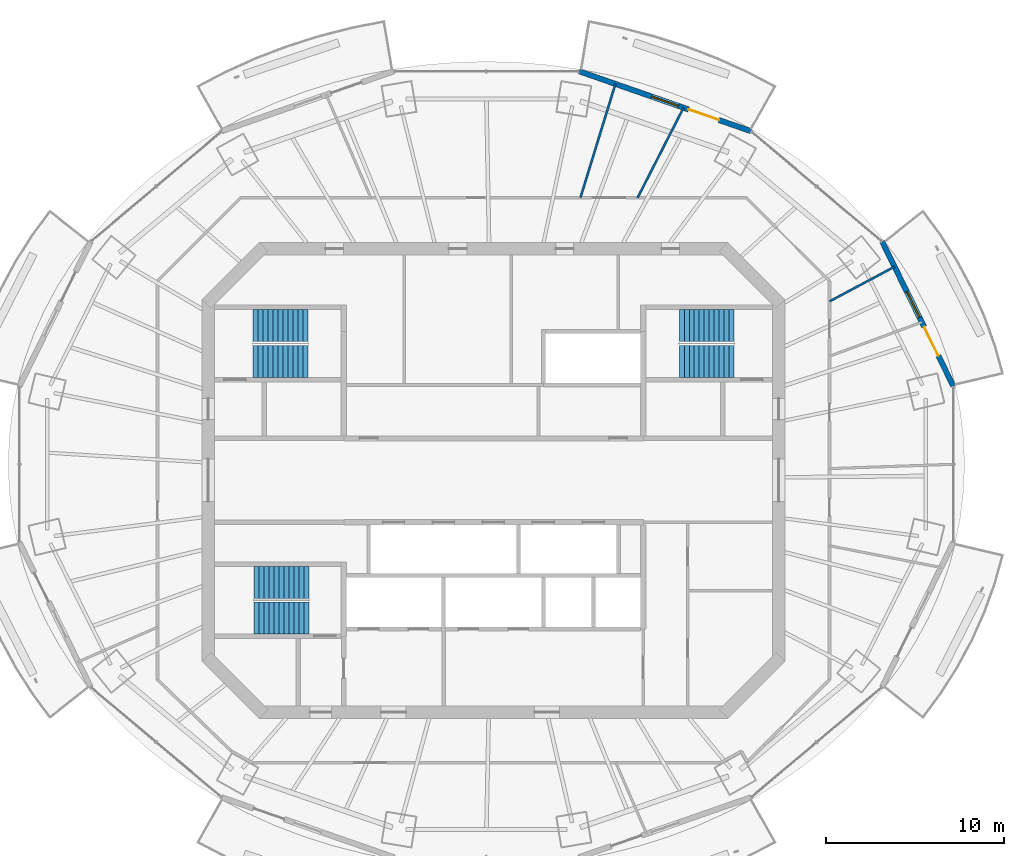
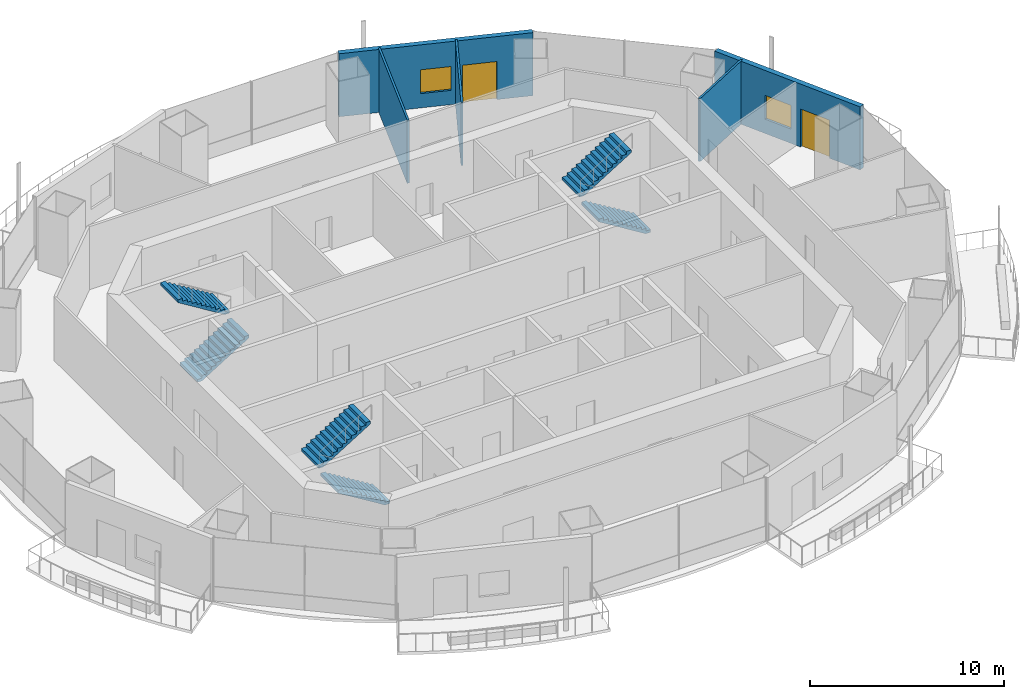
# One storey, part 11 of 16: 6 stair flights, 5 walls, 2 doors, 2 windows, 4 openings, 3 elements without a shape of their own.
"""IFC4 building model written with IfcOpenShell, lengths in metres."""

import ifcopenshell
import ifcopenshell.guid

model = None  # the IFC model being written
_history = None  # IfcOwnerHistory: only IFC2X3 demands one
_inside = {}  # id of a spatial element -> (the spatial element, [elements in it])
_under = {}  # id of a project, library or spatial element -> (it, [spatial elements below it])
_declared = {}  # id of a project -> (the project, [libraries it declares])
_typed = {}  # id of a type object -> (the type object, [elements of that type])
_made_of = {}  # id of a material, layer set ... -> (it, [elements and type objects made of it])


def new_model(schema):
    """Start an empty IFC model of exactly this schema.

    Asked for "IFC4X3", IfcOpenShell would pick the latest addendum, in which some entities
    have other attributes; the version numbers below select the first issue.
    IFC2X3 requires an IfcOwnerHistory on every rooted entity: one is made here for all.
    """
    global model, _history
    if schema == "IFC4X3":
        model = ifcopenshell.file(schema_version=(4, 3, 0, 0))
    else:
        model = ifcopenshell.file(schema=schema)
    _inside.clear()
    _under.clear()
    _declared.clear()
    _typed.clear()
    _made_of.clear()
    _history = None
    if model.schema == "IFC2X3":
        org = make("IfcOrganization", Name="unknown")
        user = make(
            "IfcPersonAndOrganization",
            ThePerson=make("IfcPerson", FamilyName="unknown"),
            TheOrganization=org,
        )
        app = make(
            "IfcApplication",
            ApplicationDeveloper=org,
            Version="unknown",
            ApplicationFullName="unknown",
            ApplicationIdentifier="unknown",
        )
        _history = make(
            "IfcOwnerHistory",
            OwningUser=user,
            OwningApplication=app,
            ChangeAction="ADDED",
            CreationDate=0,
        )
    return model


def make(cls, **values):
    """One entity of the class cls with the attributes given. An attribute that is None is left unset."""
    return model.create_entity(
        cls, **{name: value for name, value in values.items() if value is not None}
    )


def rooted(cls, **values):
    """An entity with a GlobalId (a new one), such as an element, a storey or a relation."""
    return make(cls, GlobalId=ifcopenshell.guid.new(), OwnerHistory=_history, **values)


def si_unit(unit_type, name, prefix=None):
    """IfcSIUnit, for example si_unit("LENGTHUNIT", "METRE", prefix="MILLI")."""
    return make("IfcSIUnit", UnitType=unit_type, Prefix=prefix, Name=name)


def assignment(units):
    """IfcUnitAssignment: the units of a project."""
    return None if units is None else make("IfcUnitAssignment", Units=units)


def point(xyz):
    """IfcCartesianPoint."""
    return None if xyz is None else make("IfcCartesianPoint", Coordinates=xyz)


def direction(xyz):
    """IfcDirection."""
    return None if xyz is None else make("IfcDirection", DirectionRatios=xyz)


def frame(location, z_axis=None, x_axis=None):
    """IfcAxis2Placement3D, a coordinate frame: its origin and axes. An axis left out is left unset."""
    return make(
        "IfcAxis2Placement3D",
        Location=point(location),
        Axis=direction(z_axis),
        RefDirection=direction(x_axis),
    )


def frame_2d(location, x_axis=None):
    """IfcAxis2Placement2D, a coordinate frame in the plane: its origin and x axis."""
    return make(
        "IfcAxis2Placement2D", Location=point(location), RefDirection=direction(x_axis)
    )


def origin():
    """The frame at (0, 0, 0) with its axes left unset."""
    return frame((0.0, 0.0, 0.0))


def place(relative_to, where):
    """IfcLocalPlacement: puts the frame where relative to a parent placement (None: the world)."""
    return make(
        "IfcLocalPlacement", PlacementRelTo=relative_to, RelativePlacement=where
    )


def context(
    kind, dimensions, precision=None, world=None, true_north=None, identifier=None
):
    """IfcGeometricRepresentationContext, for example the 3D "Model" context."""
    return make(
        "IfcGeometricRepresentationContext",
        ContextIdentifier=identifier,
        ContextType=kind,
        CoordinateSpaceDimension=dimensions,
        Precision=precision,
        WorldCoordinateSystem=world,
        TrueNorth=true_north,
    )


def subcontext(parent, identifier, kind, view, scale=None):
    """IfcGeometricRepresentationSubContext, for example "Body" below "Model"."""
    return make(
        "IfcGeometricRepresentationSubContext",
        ContextIdentifier=identifier,
        ContextType=kind,
        ParentContext=parent,
        TargetScale=scale,
        TargetView=view,
    )


def project(units=None, contexts=None):
    """IfcProject with its units and contexts."""
    return rooted(
        "IfcProject",
        Name="project",
        RepresentationContexts=contexts,
        UnitsInContext=assignment(units),
    )


def spatial(cls, under=None, at=None, **own):
    """A site, building, storey or space (cls), placed at a placement, below another one or the project."""
    s = rooted(cls, ObjectPlacement=at, **own)
    if under is not None:
        _under.setdefault(under.id(), (under, []))[1].append(s)
    return s


def polyline(points):
    """IfcPolyline through the points."""
    return make("IfcPolyline", Points=[point(p) for p in points])


def profile(cls, at=None, kind="AREA", **sizes):
    """A parametric profile (cls). Its sizes go by their IFC names, for example OverallWidth=200.0."""
    return make(cls, ProfileType=kind, Position=at, **sizes)


def rectangle(**sizes):
    """IfcRectangleProfileDef."""
    return profile("IfcRectangleProfileDef", **sizes)


def outline(outer, holes=None, kind="AREA"):
    """IfcArbitraryClosedProfileDef: a profile drawn as a closed curve; with holes, ...WithVoids."""
    if holes is None:
        return make("IfcArbitraryClosedProfileDef", ProfileType=kind, OuterCurve=outer)
    return make(
        "IfcArbitraryProfileDefWithVoids",
        ProfileType=kind,
        OuterCurve=outer,
        InnerCurves=holes,
    )


def extrude(swept, where, along, depth):
    """IfcExtrudedAreaSolid: the profile swept, set in the frame where, extruded along a direction by depth."""
    return make(
        "IfcExtrudedAreaSolid",
        SweptArea=swept,
        Position=where,
        ExtrudedDirection=direction(along),
        Depth=depth,
    )


def shape(context_of_items, identifier, shape_type, items):
    """IfcShapeRepresentation: the items that make up one representation, for example the "Body"."""
    return make(
        "IfcShapeRepresentation",
        ContextOfItems=context_of_items,
        RepresentationIdentifier=identifier,
        RepresentationType=shape_type,
        Items=items,
    )


def material(Name=None, Category=None):
    """IfcMaterial."""
    return make("IfcMaterial", Name=Name, Category=Category)


def layer(
    of_material, thickness, ventilated=None, Name=None, Category=None, Priority=None
):
    """IfcMaterialLayer: one layer of a wall or slab, of a material (None: an air gap)."""
    return make(
        "IfcMaterialLayer",
        Material=of_material,
        LayerThickness=thickness,
        IsVentilated=ventilated,
        Name=Name,
        Category=Category,
        Priority=Priority,
    )


def layer_set(layers, Name=None):
    """IfcMaterialLayerSet."""
    return make("IfcMaterialLayerSet", MaterialLayers=layers, LayerSetName=Name)


def made_of(thing, what):
    """Note that an element or type object is made of a material, layer set ...; save() writes the relation."""
    if what is not None:
        _made_of.setdefault(what.id(), (what, []))[1].append(thing)
    return thing


def type_object(cls, material=None, **own):
    """A type object (cls), such as IfcWallType, which elements share."""
    return made_of(rooted(cls, **own), material)


def element(
    cls,
    number,
    at=None,
    inside=None,
    cuts=None,
    type_object=None,
    material=None,
    context=None,
    identifier="Body",
    shape_type=None,
    held_by="IfcProductDefinitionShape",
    body=None,
    shapes=None,
    **own,
):
    """One element of the class cls, such as IfcWall. Its Tag is "e" and its number.

    at: its placement. inside: the storey or other place that contains it. cuts: it is an
    opening in that element (IfcRelVoidsElement). A single representation is given by context,
    identifier, shape_type and body (its items); several are given by shapes. held_by: the class
    of the entity that holds the representations. save() writes the other relations.
    """
    e = rooted(cls, Tag="e%d" % number, ObjectPlacement=at, **own)
    if body is not None:
        shapes = [shape(context, identifier, shape_type, body)]
    if shapes is not None:
        e.Representation = make(held_by, Representations=shapes)
    if inside is not None:
        _inside.setdefault(inside.id(), (inside, []))[1].append(e)
    if cuts is not None:
        rooted(
            "IfcRelVoidsElement", RelatingBuildingElement=cuts, RelatedOpeningElement=e
        )
    if type_object is not None:
        _typed.setdefault(type_object.id(), (type_object, []))[1].append(e)
    return made_of(e, material)


def fill(opening, filler):
    """IfcRelFillsElement: the door or window that sits in an opening."""
    return rooted(
        "IfcRelFillsElement",
        RelatingOpeningElement=opening,
        RelatedBuildingElement=filler,
    )


def aggregate(whole, parts):
    """IfcRelAggregates: a whole, such as a stair, and the parts it consists of."""
    return rooted("IfcRelAggregates", RelatingObject=whole, RelatedObjects=parts)


def save(model, path):
    """Write the relations noted so far, then the file.

    IfcRelAggregates (storeys below a building ...), IfcRelContainedInSpatialStructure (elements
    in a storey), IfcRelDefinesByType, IfcRelAssociatesMaterial and IfcRelDeclares: one each for
    every whole, place, type object, material and project.
    """
    for whole, parts in _under.values():
        aggregate(whole, parts)
    for where, things in _inside.values():
        rooted(
            "IfcRelContainedInSpatialStructure",
            RelatedElements=things,
            RelatingStructure=where,
        )
    for kind, things in _typed.values():
        rooted("IfcRelDefinesByType", RelatedObjects=things, RelatingType=kind)
    for what, things in _made_of.values():
        rooted("IfcRelAssociatesMaterial", RelatedObjects=things, RelatingMaterial=what)
    for by, libraries in _declared.values():
        rooted("IfcRelDeclares", RelatingContext=by, RelatedDefinitions=libraries)
    model.write(path)


model = new_model("IFC4")

# Units and contexts
model_context = context("Model", 3, precision=1e-05, world=origin(), true_north=direction((0.0, 1.0)))
body_context = subcontext(model_context, "Body", "Model", "MODEL_VIEW")
ifc_project = project(units=[si_unit("LENGTHUNIT", "METRE"), si_unit("AREAUNIT", "SQUARE_METRE"), si_unit("VOLUMEUNIT", "CUBIC_METRE"), si_unit("PLANEANGLEUNIT", "RADIAN"), si_unit("MASSUNIT", "GRAM", prefix="KILO")], contexts=[model_context])

# Site, building, storey
site_placement = place(None, origin())
site = spatial("IfcSite", under=ifc_project, at=site_placement, CompositionType="ELEMENT")
building_placement = place(site_placement, origin())
building = spatial("IfcBuilding", under=site, at=building_placement, Name="Marenthal Gate Tower", CompositionType="ELEMENT")
storey_placement = place(building_placement, frame((0.0, 0.0, 350.89990234375)))
storey = spatial("IfcBuildingStorey", under=building, at=storey_placement, Name="L79", CompositionType="ELEMENT", Elevation=350.89990234375)

# Walls
ifc_material_1 = material(Name="Gypsum board on steel studs", Category="steel")
ifc_layer_1 = layer(ifc_material_1, 0.1201171875)
ifc_layer_set_1 = layer_set([ifc_layer_1], Name="Partition 120")
wall_type_1 = type_object("IfcWallType", Name="Partition 120", PredefinedType="PARTITIONING", material=ifc_layer_set_1)
wall_1_placement = place(storey_placement, frame((4.8740234375, 15.85009765625, 0.0), z_axis=(0.0, 0.0, 1.0), x_axis=(0.293957481335, 0.955818496979, 0.0)))
element("IfcWall", 1, at=wall_1_placement, inside=storey, type_object=wall_type_1, Name="Partition wall 59", PredefinedType="PARTITIONING", context=body_context, shape_type="SweptSolid", body=[
    extrude(rectangle(XDim=6.682373046875, YDim=0.1201171875, at=frame_2d((3.34130859375, 0.0))), origin(), (0.0, 0.0, 1.0), 3.97021484375),
])
wall_2_placement = place(storey_placement, frame((8.082763671875, 15.85009765625, 0.0), z_axis=(0.0, 0.0, 1.0), x_axis=(0.454290570005, 0.890853567094, 0.0)))
element("IfcWall", 2, at=wall_2_placement, inside=storey, type_object=wall_type_1, Name="Partition wall 61", PredefinedType="PARTITIONING", context=body_context, shape_type="SweptSolid", body=[
    extrude(rectangle(XDim=5.674072265625, YDim=0.1201171875, at=frame_2d((2.8369140625, 0.0))), origin(), (0.0, 0.0, 1.0), 3.97021484375),
])
wall_3_placement = place(storey_placement, frame((18.85009765625, 10.040283203125, 0.0), z_axis=(0.0, 0.0, 1.0), x_axis=(0.882609576654, 0.470106727454, 0.0)))
element("IfcWall", 3, at=wall_3_placement, inside=storey, type_object=wall_type_1, Name="Partition wall 70", PredefinedType="PARTITIONING", context=body_context, shape_type="SweptSolid", body=[
    extrude(rectangle(XDim=4.13232421875, YDim=0.1201171875, at=frame_2d((2.066162109375, 0.0))), origin(), (0.0, 0.0, 1.0), 3.97021484375),
])

# Wall, openings, door, window
ifc_material_2 = material(Name="Terracotta cladding on insulated concrete-block backing", Category="masonry")
ifc_layer_2 = layer(ifc_material_2, 0.300048828125)
ifc_layer_set_2 = layer_set([ifc_layer_2], Name="Terracotta facade wall 300")
wall_type_2 = type_object("IfcWallType", Name="Terracotta facade wall 300", PredefinedType="SOLIDWALL", material=ifc_layer_set_2)
wall_4_placement = place(storey_placement, frame((25.793701171875, 5.284912109375, 0.0), z_axis=(0.0, 0.0, 1.0), x_axis=(-0.441581239579, 0.897221270842, 0.0)))
wall_4 = element("IfcWall", 4, at=wall_4_placement, inside=storey, type_object=wall_type_2, Name="Terracotta facade wall L79 bay 1", PredefinedType="SOLIDWALL", context=body_context, shape_type="SweptSolid", body=[
    extrude(rectangle(XDim=9.0302734375, YDim=0.300048828125, at=frame_2d((4.51513671875, 0.0))), origin(), (0.0, 0.0, 1.0), 3.97021484375),
])
opening_1_placement = place(wall_4_placement, frame((1.89990234375, 0.0, 0.0)))
opening_1 = element("IfcOpeningElement", 5, at=opening_1_placement, cuts=wall_4, Name="Opening BD-L79-01", PredefinedType="OPENING", context=body_context, shape_type="SweptSolid", body=[
    extrude(rectangle(XDim=1.800048828125, YDim=2.39990234375, at=frame_2d((0.89990234375, 1.199951171875))), frame((0.0, 0.16015625, 0.0), z_axis=(0.0, -1.0, 0.0), x_axis=(1.0, 0.0, 0.0)), (0.0, 0.0, 1.0), 0.320068359375),
])
opening_2_placement = place(wall_4_placement, frame((4.300048828125, 0.0, 0.89990234375)))
opening_2 = element("IfcOpeningElement", 6, at=opening_2_placement, cuts=wall_4, Name="Opening WN3-L79-01", PredefinedType="OPENING", context=body_context, shape_type="SweptSolid", body=[
    extrude(rectangle(XDim=1.60009765625, YDim=1.5, at=frame_2d((0.800048828125, 0.75))), frame((0.0, 0.16015625, 0.0), z_axis=(0.0, -1.0, 0.0), x_axis=(1.0, 0.0, 0.0)), (0.0, 0.0, 1.0), 0.320068359375),
])
ifc_material_3 = material(Name="Aluminium and glass", Category="aluminium")
door_type = type_object("IfcDoorType", Name="Balcony door 1800x2400", OperationType="DOUBLE_DOOR_SINGLE_SWING", PredefinedType="DOOR", material=ifc_material_3)
door_1_placement = place(opening_1_placement, origin())
door_1 = element("IfcDoor", 7, at=door_1_placement, inside=storey, type_object=door_type, Name="Balcony door L79 bay 1", OperationType="SINGLE_SWING_LEFT", OverallHeight=2.39990234375, OverallWidth=1.800048828125, PredefinedType="DOOR", context=body_context, shape_type="SweptSolid", body=[
    extrude(rectangle(XDim=1.800048828125, YDim=2.39990234375, at=frame_2d((0.89990234375, 1.199951171875))), frame((0.0, 0.02490234375, 0.0), z_axis=(0.0, -1.0, 0.0), x_axis=(1.0, 0.0, 0.0)), (0.0, 0.0, 1.0), 0.050048828125),
])
fill(opening_1, door_1)
ifc_material_4 = material(Name="Aluminium and glass", Category="aluminium")
window_type = type_object("IfcWindowType", Name="Window 1600x1500", PartitioningType="DOUBLE_PANEL_VERTICAL", PredefinedType="WINDOW", material=ifc_material_4)
window_1_placement = place(opening_2_placement, origin())
window_1 = element("IfcWindow", 8, at=window_1_placement, inside=storey, type_object=window_type, Name="Window L79 bay 1", OverallHeight=1.5, OverallWidth=1.60009765625, PartitioningType="SINGLE_PANEL", PredefinedType="WINDOW", context=body_context, shape_type="SweptSolid", body=[
    extrude(rectangle(XDim=1.60009765625, YDim=1.5, at=frame_2d((0.800048828125, 0.75))), frame((0.0, 0.030029296875, 0.0), z_axis=(0.0, -1.0, 0.0), x_axis=(1.0, 0.0, 0.0)), (0.0, 0.0, 1.0), 0.06005859375),
])
fill(opening_2, window_1)

wall_5_placement = place(storey_placement, frame((14.4375, 19.588134765625, 0.0), z_axis=(0.0, 0.0, 1.0), x_axis=(-0.944272378507, 0.329165118428, 0.0)))
wall_5 = element("IfcWall", 9, at=wall_5_placement, inside=storey, type_object=wall_type_2, Name="Terracotta facade wall L79 bay 3", PredefinedType="SOLIDWALL", context=body_context, shape_type="SweptSolid", body=[
    extrude(rectangle(XDim=10.1953125, YDim=0.300048828125, at=frame_2d((5.09765625, 0.0))), origin(), (0.0, 0.0, 1.0), 3.97021484375),
])
opening_3_placement = place(wall_5_placement, frame((1.89990234375, 0.0, 0.0)))
opening_3 = element("IfcOpeningElement", 10, at=opening_3_placement, cuts=wall_5, Name="Opening BD-L79-03", PredefinedType="OPENING", context=body_context, shape_type="SweptSolid", body=[
    extrude(rectangle(XDim=1.800048828125, YDim=2.39990234375, at=frame_2d((0.89990234375, 1.199951171875))), frame((0.0, 0.16015625, 0.0), z_axis=(0.0, -1.0, 0.0), x_axis=(1.0, 0.0, 0.0)), (0.0, 0.0, 1.0), 0.320068359375),
])
opening_4_placement = place(wall_5_placement, frame((4.300048828125, 0.0, 0.89990234375)))
opening_4 = element("IfcOpeningElement", 11, at=opening_4_placement, cuts=wall_5, Name="Opening WN3-L79-03", PredefinedType="OPENING", context=body_context, shape_type="SweptSolid", body=[
    extrude(rectangle(XDim=1.60009765625, YDim=1.5, at=frame_2d((0.800048828125, 0.75))), frame((0.0, 0.16015625, 0.0), z_axis=(0.0, -1.0, 0.0), x_axis=(1.0, 0.0, 0.0)), (0.0, 0.0, 1.0), 0.320068359375),
])
door_2_placement = place(opening_3_placement, origin())
door_2 = element("IfcDoor", 12, at=door_2_placement, inside=storey, type_object=door_type, Name="Balcony door L79 bay 3", OperationType="SINGLE_SWING_LEFT", OverallHeight=2.39990234375, OverallWidth=1.800048828125, PredefinedType="DOOR", context=body_context, shape_type="SweptSolid", body=[
    extrude(rectangle(XDim=1.800048828125, YDim=2.39990234375, at=frame_2d((0.89990234375, 1.199951171875))), frame((0.0, 0.02490234375, 0.0), z_axis=(0.0, -1.0, 0.0), x_axis=(1.0, 0.0, 0.0)), (0.0, 0.0, 1.0), 0.050048828125),
])
fill(opening_3, door_2)
window_2_placement = place(opening_4_placement, origin())
window_2 = element("IfcWindow", 13, at=window_2_placement, inside=storey, type_object=window_type, Name="Window L79 bay 3", OverallHeight=1.5, OverallWidth=1.60009765625, PartitioningType="SINGLE_PANEL", PredefinedType="WINDOW", context=body_context, shape_type="SweptSolid", body=[
    extrude(rectangle(XDim=1.60009765625, YDim=1.5, at=frame_2d((0.800048828125, 0.75))), frame((0.0, 0.030029296875, 0.0), z_axis=(0.0, -1.0, 0.0), x_axis=(1.0, 0.0, 0.0)), (0.0, 0.0, 1.0), 0.06005859375),
])
fill(opening_4, window_2)

# Stair, stair flights
ifc_material_5 = material(Name="Concrete 40 MPa", Category="concrete")
stair_type = type_object("IfcStairType", Name="Exit stair 1800", PredefinedType="HALF_TURN_STAIR", material=ifc_material_5)
stair_1_placement = place(storey_placement, origin())
stair_1 = element("IfcStair", 14, at=stair_1_placement, inside=storey, type_object=stair_type, Name="Stair ST1", PredefinedType="HALF_TURN_STAIR")
ifc_material_6 = material(Name="Concrete 40 MPa", Category="concrete")
stair_flight_type = type_object("IfcStairFlightType", Name="Stair flight 1800", PredefinedType="STRAIGHT", material=ifc_material_6)
stair_flight_1_placement = place(storey_placement, frame((-13.5, 6.675048828125, 0.0), z_axis=(0.0, 0.0, 1.0), x_axis=(1.0, 0.0, 0.0)))
stair_flight_1 = element("IfcStairFlight", 15, at=stair_flight_1_placement, type_object=stair_flight_type, Name="ST1 flight 1", NumberOfRisers=12, NumberOfTreads=11, PredefinedType="STRAIGHT", RiserHeight=0.172916667, TreadLength=0.28, context=body_context, shape_type="SweptSolid", body=[
    extrude(outline(polyline([(0.0, 0.0), (0.0, 0.1728515625), (0.280029296875, 0.1728515625), (0.280029296875, 0.345947265625), (0.56005859375, 0.345947265625), (0.56005859375, 0.518798828125), (0.840087890625, 0.518798828125), (0.840087890625, 0.691650390625), (1.1201171875, 0.691650390625), (1.1201171875, 0.864501953125), (1.39990234375, 0.864501953125), (1.39990234375, 1.03759765625), (1.679931640625, 1.03759765625), (1.679931640625, 1.21044921875), (1.9599609375, 1.21044921875), (1.9599609375, 1.38330078125), (2.239990234375, 1.38330078125), (2.239990234375, 1.55615234375), (2.52001953125, 1.55615234375), (2.52001953125, 1.729248046875), (2.800048828125, 1.729248046875), (2.800048828125, 1.902099609375), (3.080078125, 1.902099609375), (3.080078125, 2.074951171875), (3.080078125, 1.725830078125), (0.285400390625, 0.0), (0.0, 0.0)])), frame((0.0, 0.89990234375, 0.0), z_axis=(0.0, -1.0, 0.0), x_axis=(1.0, 0.0, 0.0)), (0.0, 0.0, 1.0), 1.800048828125),
])
stair_flight_2_placement = place(storey_placement, frame((-10.419921875, 8.675048828125, 2.0751953125), z_axis=(0.0, 0.0, 1.0), x_axis=(-1.0, 0.0, 0.0)))
stair_flight_2 = element("IfcStairFlight", 16, at=stair_flight_2_placement, type_object=stair_flight_type, Name="ST1 flight 2", NumberOfRisers=12, NumberOfTreads=11, PredefinedType="STRAIGHT", RiserHeight=0.172916667, TreadLength=0.28, context=body_context, shape_type="SweptSolid", body=[
    extrude(outline(polyline([(0.0, 0.0), (0.0, 0.1728515625), (0.280029296875, 0.1728515625), (0.280029296875, 0.345947265625), (0.56005859375, 0.345947265625), (0.56005859375, 0.518798828125), (0.840087890625, 0.518798828125), (0.840087890625, 0.691650390625), (1.1201171875, 0.691650390625), (1.1201171875, 0.864501953125), (1.39990234375, 0.864501953125), (1.39990234375, 1.03759765625), (1.679931640625, 1.03759765625), (1.679931640625, 1.21044921875), (1.9599609375, 1.21044921875), (1.9599609375, 1.38330078125), (2.239990234375, 1.38330078125), (2.239990234375, 1.55615234375), (2.52001953125, 1.55615234375), (2.52001953125, 1.729248046875), (2.800048828125, 1.729248046875), (2.800048828125, 1.902099609375), (3.080078125, 1.902099609375), (3.080078125, 2.074951171875), (3.080078125, 1.725830078125), (0.285400390625, 0.0), (0.0, 0.0)])), frame((0.0, 0.89990234375, 0.0), z_axis=(0.0, -1.0, 0.0), x_axis=(1.0, 0.0, 0.0)), (0.0, 0.0, 1.0), 1.800048828125),
])
aggregate(stair_1, [stair_flight_1, stair_flight_2])

stair_2_placement = place(storey_placement, origin())
stair_2 = element("IfcStair", 17, at=stair_2_placement, inside=storey, type_object=stair_type, Name="Stair ST2", PredefinedType="HALF_TURN_STAIR")
stair_flight_3_placement = place(storey_placement, frame((-10.35009765625, -7.72509765625, 0.0), z_axis=(0.0, 0.0, 1.0), x_axis=(-1.0, 0.0, 0.0)))
stair_flight_3 = element("IfcStairFlight", 18, at=stair_flight_3_placement, type_object=stair_flight_type, Name="ST2 flight 1", NumberOfRisers=12, NumberOfTreads=11, PredefinedType="STRAIGHT", RiserHeight=0.172916667, TreadLength=0.28, context=body_context, shape_type="SweptSolid", body=[
    extrude(outline(polyline([(0.0, 0.0), (0.0, 0.1728515625), (0.280029296875, 0.1728515625), (0.280029296875, 0.345947265625), (0.56005859375, 0.345947265625), (0.56005859375, 0.518798828125), (0.840087890625, 0.518798828125), (0.840087890625, 0.691650390625), (1.1201171875, 0.691650390625), (1.1201171875, 0.864501953125), (1.39990234375, 0.864501953125), (1.39990234375, 1.03759765625), (1.679931640625, 1.03759765625), (1.679931640625, 1.21044921875), (1.9599609375, 1.21044921875), (1.9599609375, 1.38330078125), (2.239990234375, 1.38330078125), (2.239990234375, 1.55615234375), (2.52001953125, 1.55615234375), (2.52001953125, 1.729248046875), (2.800048828125, 1.729248046875), (2.800048828125, 1.902099609375), (3.080078125, 1.902099609375), (3.080078125, 2.074951171875), (3.080078125, 1.725830078125), (0.285400390625, 0.0), (0.0, 0.0)])), frame((0.0, 0.89990234375, 0.0), z_axis=(0.0, -1.0, 0.0), x_axis=(1.0, 0.0, 0.0)), (0.0, 0.0, 1.0), 1.800048828125),
])
stair_flight_4_placement = place(storey_placement, frame((-13.429931640625, -5.72509765625, 2.0751953125), z_axis=(0.0, 0.0, 1.0), x_axis=(1.0, 0.0, 0.0)))
stair_flight_4 = element("IfcStairFlight", 19, at=stair_flight_4_placement, type_object=stair_flight_type, Name="ST2 flight 2", NumberOfRisers=12, NumberOfTreads=11, PredefinedType="STRAIGHT", RiserHeight=0.172916667, TreadLength=0.28, context=body_context, shape_type="SweptSolid", body=[
    extrude(outline(polyline([(0.0, 0.0), (0.0, 0.1728515625), (0.280029296875, 0.1728515625), (0.280029296875, 0.345947265625), (0.56005859375, 0.345947265625), (0.56005859375, 0.518798828125), (0.840087890625, 0.518798828125), (0.840087890625, 0.691650390625), (1.1201171875, 0.691650390625), (1.1201171875, 0.864501953125), (1.39990234375, 0.864501953125), (1.39990234375, 1.03759765625), (1.679931640625, 1.03759765625), (1.679931640625, 1.21044921875), (1.9599609375, 1.21044921875), (1.9599609375, 1.38330078125), (2.239990234375, 1.38330078125), (2.239990234375, 1.55615234375), (2.52001953125, 1.55615234375), (2.52001953125, 1.729248046875), (2.800048828125, 1.729248046875), (2.800048828125, 1.902099609375), (3.080078125, 1.902099609375), (3.080078125, 2.074951171875), (3.080078125, 1.725830078125), (0.285400390625, 0.0), (0.0, 0.0)])), frame((0.0, 0.89990234375, 0.0), z_axis=(0.0, -1.0, 0.0), x_axis=(1.0, 0.0, 0.0)), (0.0, 0.0, 1.0), 1.800048828125),
])
aggregate(stair_2, [stair_flight_3, stair_flight_4])

stair_3_placement = place(storey_placement, origin())
stair_3 = element("IfcStair", 20, at=stair_3_placement, inside=storey, type_object=stair_type, Name="Stair ST3", PredefinedType="HALF_TURN_STAIR")
stair_flight_5_placement = place(storey_placement, frame((13.5, 6.675048828125, 0.0), z_axis=(0.0, 0.0, 1.0), x_axis=(-1.0, 0.0, 0.0)))
stair_flight_5 = element("IfcStairFlight", 21, at=stair_flight_5_placement, type_object=stair_flight_type, Name="ST3 flight 1", NumberOfRisers=12, NumberOfTreads=11, PredefinedType="STRAIGHT", RiserHeight=0.172916667, TreadLength=0.28, context=body_context, shape_type="SweptSolid", body=[
    extrude(outline(polyline([(0.0, 0.0), (0.0, 0.1728515625), (0.280029296875, 0.1728515625), (0.280029296875, 0.345947265625), (0.56005859375, 0.345947265625), (0.56005859375, 0.518798828125), (0.840087890625, 0.518798828125), (0.840087890625, 0.691650390625), (1.1201171875, 0.691650390625), (1.1201171875, 0.864501953125), (1.39990234375, 0.864501953125), (1.39990234375, 1.03759765625), (1.679931640625, 1.03759765625), (1.679931640625, 1.21044921875), (1.9599609375, 1.21044921875), (1.9599609375, 1.38330078125), (2.239990234375, 1.38330078125), (2.239990234375, 1.55615234375), (2.52001953125, 1.55615234375), (2.52001953125, 1.729248046875), (2.800048828125, 1.729248046875), (2.800048828125, 1.902099609375), (3.080078125, 1.902099609375), (3.080078125, 2.074951171875), (3.080078125, 1.725830078125), (0.285400390625, 0.0), (0.0, 0.0)])), frame((0.0, 0.89990234375, 0.0), z_axis=(0.0, -1.0, 0.0), x_axis=(1.0, 0.0, 0.0)), (0.0, 0.0, 1.0), 1.800048828125),
])
stair_flight_6_placement = place(storey_placement, frame((10.419921875, 8.675048828125, 2.0751953125), z_axis=(0.0, 0.0, 1.0), x_axis=(1.0, 0.0, 0.0)))
stair_flight_6 = element("IfcStairFlight", 22, at=stair_flight_6_placement, type_object=stair_flight_type, Name="ST3 flight 2", NumberOfRisers=12, NumberOfTreads=11, PredefinedType="STRAIGHT", RiserHeight=0.172916667, TreadLength=0.28, context=body_context, shape_type="SweptSolid", body=[
    extrude(outline(polyline([(0.0, 0.0), (0.0, 0.1728515625), (0.280029296875, 0.1728515625), (0.280029296875, 0.345947265625), (0.56005859375, 0.345947265625), (0.56005859375, 0.518798828125), (0.840087890625, 0.518798828125), (0.840087890625, 0.691650390625), (1.1201171875, 0.691650390625), (1.1201171875, 0.864501953125), (1.39990234375, 0.864501953125), (1.39990234375, 1.03759765625), (1.679931640625, 1.03759765625), (1.679931640625, 1.21044921875), (1.9599609375, 1.21044921875), (1.9599609375, 1.38330078125), (2.239990234375, 1.38330078125), (2.239990234375, 1.55615234375), (2.52001953125, 1.55615234375), (2.52001953125, 1.729248046875), (2.800048828125, 1.729248046875), (2.800048828125, 1.902099609375), (3.080078125, 1.902099609375), (3.080078125, 2.074951171875), (3.080078125, 1.725830078125), (0.285400390625, 0.0), (0.0, 0.0)])), frame((0.0, 0.89990234375, 0.0), z_axis=(0.0, -1.0, 0.0), x_axis=(1.0, 0.0, 0.0)), (0.0, 0.0, 1.0), 1.800048828125),
])
aggregate(stair_3, [stair_flight_5, stair_flight_6])

save(model, "model.ifc")
